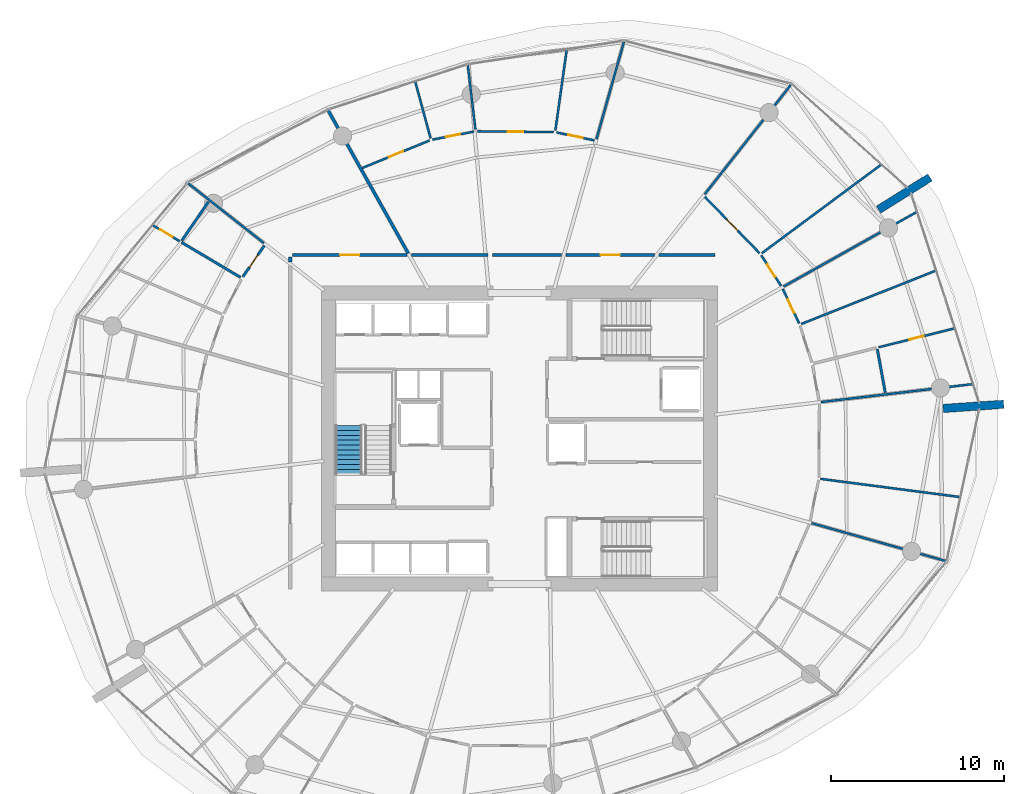
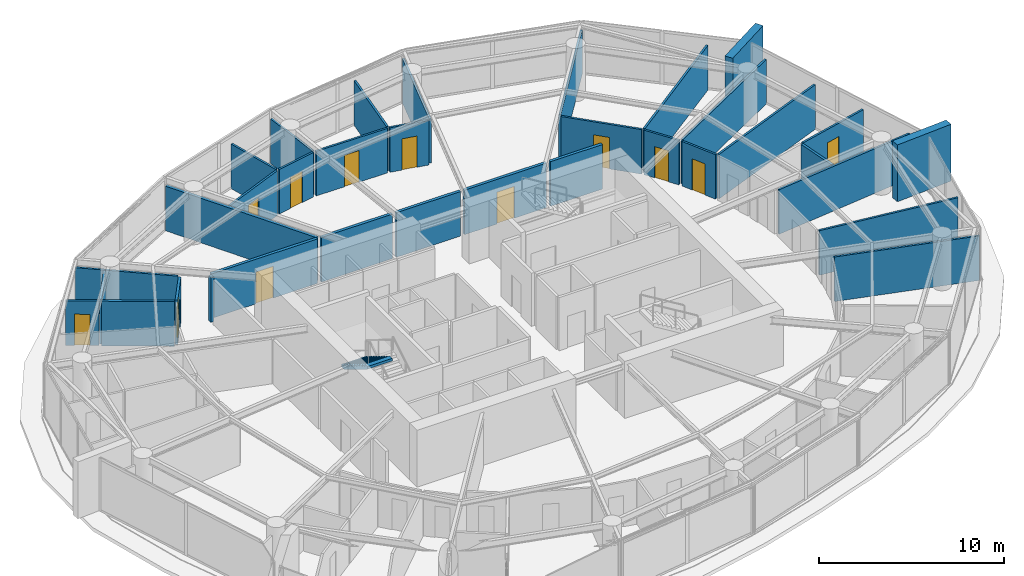
# One storey, part 15 of 17: 34 walls, 12 doors, 1 stair flight, 12 openings, 1 element without a shape of its own.
"""IFC4 building model written with IfcOpenShell, lengths in metres."""

from ifc_helpers import new_model, si_unit, direction, frame, frame_2d, origin, place, context, subcontext, project, spatial, polyline, rectangle, outline, extrude, material, layer, layer_set, type_object, element, fill, aggregate, save


model = new_model("IFC4")

# Units and contexts
model_context = context("Model", 3, precision=1e-05, world=origin(), true_north=direction((0.0, 1.0)))
body_context = subcontext(model_context, "Body", "Model", "MODEL_VIEW")
ifc_project = project(units=[si_unit("LENGTHUNIT", "METRE"), si_unit("AREAUNIT", "SQUARE_METRE"), si_unit("VOLUMEUNIT", "CUBIC_METRE"), si_unit("PLANEANGLEUNIT", "RADIAN"), si_unit("MASSUNIT", "GRAM", prefix="KILO")], contexts=[model_context])

# Site, building, storey
site_placement = place(None, origin())
site = spatial("IfcSite", under=ifc_project, at=site_placement, CompositionType="ELEMENT")
building_placement = place(site_placement, origin())
building = spatial("IfcBuilding", under=site, at=building_placement, Name="Kazma Halo Residences", CompositionType="ELEMENT")
storey_placement = place(building_placement, frame((0.0, 0.0, 127.800048828125)))
storey = spatial("IfcBuildingStorey", under=building, at=storey_placement, Name="L31", CompositionType="ELEMENT", Elevation=127.800048828125)

# Walls
ifc_material_1 = material(Name="Pale Concrete C60/75", Category="concrete")
ifc_layer_1 = layer(ifc_material_1, 0.47998046875)
ifc_layer_set_1 = layer_set([ifc_layer_1], Name="Pale Concrete C60/75")
wall_type_1 = type_object("IfcWallType", Name="WL-BLADE-480", PredefinedType="SOLIDWALL", material=ifc_layer_set_1)
for number, where, z_axis, x_axis, name in (
    (1, (69.165283203125, 55.2255859375, 0.0), (0.0, 0.0, 1.0), (0.848053161125, 0.529911158502, 0.0), "L31 pale concrete structural blade fin wall BW-01"),
    (2, (72.89697265625, 43.740966796875, 0.0), (0.0, 0.0, 1.0), (0.997564163539, 0.069754853754, 0.0), "L31 pale concrete structural blade fin wall BW-04"),
):
    element("IfcWall", number, at=place(storey_placement, frame(where, z_axis=z_axis, x_axis=x_axis)), inside=storey, type_object=wall_type_1, Name=name, PredefinedType="SOLIDWALL", context=body_context, shape_type="SweptSolid", body=[
        extrude(rectangle(XDim=3.5, YDim=0.47998046875, at=frame_2d((1.75, 0.0))), origin(), (0.0, 0.0, 1.0), 3.75),
    ])
ifc_material_2 = material(Name="Acoustic Twin-Stud Gypsum")
ifc_layer_2 = layer(ifc_material_2, 0.179931640625)
ifc_layer_set_2 = layer_set([ifc_layer_2], Name="Acoustic Twin-Stud Gypsum")
wall_type_2 = type_object("IfcWallType", Name="WL-DEM-180", PredefinedType="PARTITIONING", material=ifc_layer_set_2)
wall_1_placement = place(storey_placement, frame((42.010009765625, 52.696044921875, 0.0), z_axis=(0.0, 0.0, 1.0), x_axis=(-0.488637104979, 0.872487122906, 0.0)))
element("IfcWall", 3, at=wall_1_placement, inside=storey, type_object=wall_type_2, Name="L31 apartment demising radial wall 04", PredefinedType="PARTITIONING", context=body_context, shape_type="SweptSolid", body=[
    extrude(rectangle(XDim=9.4755859375, YDim=0.179931640625, at=frame_2d((4.73779296875, 0.0))), origin(), (0.0, 0.0, 1.0), 2.93994140625),
])

# Wall, opening, door
wall_2_placement = place(storey_placement, frame((41.943603515625, 52.60009765625, 0.0), z_axis=(0.0, 0.0, 1.0), x_axis=(-1.0, 0.0, 0.0)))
wall_2 = element("IfcWall", 4, at=wall_2_placement, inside=storey, type_object=wall_type_2, Name="L31 Apartment 1 entrance corridor wall", PredefinedType="PARTITIONING", context=body_context, shape_type="SweptSolid", body=[
    extrude(rectangle(XDim=6.62353515625, YDim=0.179931640625, at=frame_2d((3.311767578125, 0.0))), origin(), (0.0, 0.0, 1.0), 2.93994140625),
])
opening_1_placement = place(wall_2_placement, frame((2.76171875, 0.0, 0.0)))
opening_1 = element("IfcOpeningElement", 5, at=opening_1_placement, cuts=wall_2, Name="Opening DA-1100", PredefinedType="OPENING", context=body_context, shape_type="SweptSolid", body=[
    extrude(rectangle(XDim=1.10009765625, YDim=2.10009765625, at=frame_2d((0.550048828125, 1.050048828125))), frame((0.0, 0.099853515625, 0.0), z_axis=(0.0, -1.0, 0.0), x_axis=(1.0, 0.0, 0.0)), (0.0, 0.0, 1.0), 0.199951171875),
])
ifc_material_3 = material(Name="Acoustic Walnut Fire Leaf")
door_type_1 = type_object("IfcDoorType", Name="DR-FD60-1100", OperationType="NOTDEFINED", PredefinedType="DOOR", material=ifc_material_3)
door_1_placement = place(opening_1_placement, origin())
door_1 = element("IfcDoor", 6, at=door_1_placement, inside=storey, type_object=door_type_1, Name="L31 Apartment 1 entrance fire door", OperationType="SINGLE_SWING_LEFT", OverallHeight=2.10009765625, OverallWidth=1.10009765625, PredefinedType="DOOR", context=body_context, shape_type="SweptSolid", body=[
    extrude(rectangle(XDim=1.10009765625, YDim=2.10009765625, at=frame_2d((0.550048828125, 1.050048828125))), frame((0.0, 0.02490234375, 0.0), z_axis=(0.0, -1.0, 0.0), x_axis=(1.0, 0.0, 0.0)), (0.0, 0.0, 1.0), 0.050048828125),
])
fill(opening_1, door_1)

# Wall
wall_3_placement = place(storey_placement, frame((35.199951171875, 52.47998046875, 0.0), z_axis=(0.0, 0.0, 1.0), x_axis=(0.0, -1.0, 0.0)))
element("IfcWall", 7, at=wall_3_placement, inside=storey, type_object=wall_type_2, Name="L31 Apartment 1 entrance corridor wall", PredefinedType="PARTITIONING", context=body_context, shape_type="SweptSolid", body=[
    extrude(rectangle(XDim=0.269287109375, YDim=0.179931640625, at=frame_2d((0.134765625, 0.0))), origin(), (0.0, 0.0, 1.0), 2.93994140625),
])

# Wall, opening, door
wall_4_placement = place(storey_placement, frame((56.236328125, 52.60009765625, 0.0), z_axis=(0.0, 0.0, 1.0), x_axis=(-1.0, 0.0, 0.0)))
wall_4 = element("IfcWall", 8, at=wall_4_placement, inside=storey, type_object=wall_type_2, Name="L31 Apartment 3 entrance corridor wall", PredefinedType="PARTITIONING", context=body_context, shape_type="SweptSolid", body=[
    extrude(rectangle(XDim=5.126708984375, YDim=0.179931640625, at=frame_2d((2.5634765625, 0.0))), origin(), (0.0, 0.0, 1.0), 2.93994140625),
])
opening_2_placement = place(wall_4_placement, frame((2.013427734375, 0.0, 0.0)))
opening_2 = element("IfcOpeningElement", 9, at=opening_2_placement, cuts=wall_4, Name="Opening DA-1100", PredefinedType="OPENING", context=body_context, shape_type="SweptSolid", body=[
    extrude(rectangle(XDim=1.10009765625, YDim=2.10009765625, at=frame_2d((0.550048828125, 1.050048828125))), frame((0.0, 0.099853515625, 0.0), z_axis=(0.0, -1.0, 0.0), x_axis=(1.0, 0.0, 0.0)), (0.0, 0.0, 1.0), 0.199951171875),
])
door_2_placement = place(opening_2_placement, origin())
door_2 = element("IfcDoor", 10, at=door_2_placement, inside=storey, type_object=door_type_1, Name="L31 Apartment 3 entrance fire door", OperationType="SINGLE_SWING_LEFT", OverallHeight=2.10009765625, OverallWidth=1.10009765625, PredefinedType="DOOR", context=body_context, shape_type="SweptSolid", body=[
    extrude(rectangle(XDim=1.10009765625, YDim=2.10009765625, at=frame_2d((0.550048828125, 1.050048828125))), frame((0.0, 0.02490234375, 0.0), z_axis=(0.0, -1.0, 0.0), x_axis=(1.0, 0.0, 0.0)), (0.0, 0.0, 1.0), 0.050048828125),
])
fill(opening_2, door_2)

# Walls
wall_5_placement = place(storey_placement, frame((59.72998046875, 52.60009765625, 0.0), z_axis=(0.0, 0.0, 1.0), x_axis=(-1.0, 0.0, 0.0)))
element("IfcWall", 11, at=wall_5_placement, inside=storey, type_object=wall_type_2, Name="L31 Apartment 3 inner wall 0", PredefinedType="PARTITIONING", context=body_context, shape_type="SweptSolid", body=[
    extrude(rectangle(XDim=3.253662109375, YDim=0.179931640625, at=frame_2d((1.626953125, 0.0))), origin(), (0.0, 0.0, 1.0), 2.93994140625),
])
wall_6_placement = place(storey_placement, frame((50.869384765625, 52.60009765625, 0.0), z_axis=(0.0, 0.0, 1.0), x_axis=(-1.0, 0.0, 0.0)))
element("IfcWall", 12, at=wall_6_placement, inside=storey, type_object=wall_type_2, Name="L31 Apartment 3 inner wall 2", PredefinedType="PARTITIONING", context=body_context, shape_type="SweptSolid", body=[
    extrude(rectangle(XDim=4.00390625, YDim=0.179931640625, at=frame_2d((2.001953125, 0.0))), origin(), (0.0, 0.0, 1.0), 2.93994140625),
])
wall_7_placement = place(storey_placement, frame((46.62548828125, 52.60009765625, 0.0), z_axis=(0.0, 0.0, 1.0), x_axis=(-1.0, 0.0, 0.0)))
element("IfcWall", 13, at=wall_7_placement, inside=storey, type_object=wall_type_2, Name="L31 Apartment 3 inner wall 3", PredefinedType="PARTITIONING", context=body_context, shape_type="SweptSolid", body=[
    extrude(rectangle(XDim=4.44189453125, YDim=0.179931640625, at=frame_2d((2.220947265625, 0.0))), origin(), (0.0, 0.0, 1.0), 2.93994140625),
])
ifc_material_4 = material(Name="Gypsum Plasterboard Partition")
ifc_layer_3 = layer(ifc_material_4, 0.125)
ifc_layer_set_3 = layer_set([ifc_layer_3], Name="Gypsum Plasterboard Partition")
wall_type_3 = type_object("IfcWallType", Name="WL-PART-125", PredefinedType="PARTITIONING", material=ifc_layer_set_3)
wall_8_placement = place(storey_placement, frame((33.676513671875, 53.29150390625, 0.0), z_axis=(0.0, 0.0, 1.0), x_axis=(-0.785314406025, 0.61909715206, 0.0)))
element("IfcWall", 14, at=wall_8_placement, inside=storey, type_object=wall_type_3, Name="L31 Apartment 1 radial partition 5", PredefinedType="PARTITIONING", context=body_context, shape_type="SweptSolid", body=[
    extrude(rectangle(XDim=5.6005859375, YDim=0.125, at=frame_2d((2.80029296875, 0.0))), origin(), (0.0, 0.0, 1.0), 2.93994140625),
])

# Wall, opening, door
wall_9_placement = place(storey_placement, frame((28.806396484375, 53.402099609375, 0.0), z_axis=(0.0, 0.0, 1.0), x_axis=(-0.85977637557, 0.510670719751, 0.0)))
wall_9 = element("IfcWall", 15, at=wall_9_placement, inside=storey, type_object=wall_type_3, Name="L31 Apartment 1 Utility Laundry Room partition wall", PredefinedType="PARTITIONING", context=body_context, shape_type="SweptSolid", body=[
    extrude(rectangle(XDim=1.795166015625, YDim=0.125, at=frame_2d((0.8974609375, 0.0))), origin(), (0.0, 0.0, 1.0), 2.93994140625),
])
opening_3_placement = place(wall_9_placement, frame((0.47265625, 0.0, 0.0)))
opening_3 = element("IfcOpeningElement", 16, at=opening_3_placement, cuts=wall_9, Name="Opening DB-900", PredefinedType="OPENING", context=body_context, shape_type="SweptSolid", body=[
    extrude(rectangle(XDim=0.85009765625, YDim=2.06005859375, at=frame_2d((0.425048828125, 1.030029296875))), frame((0.0, 0.072509765625, 0.0), z_axis=(0.0, -1.0, 0.0), x_axis=(1.0, 0.0, 0.0)), (0.0, 0.0, 1.0), 0.14501953125),
])
ifc_material_5 = material(Name="Moisture-Sealed Timber Leaf", Category="wood")
door_type_2 = type_object("IfcDoorType", Name="DR-BTH-900", OperationType="NOTDEFINED", PredefinedType="DOOR", material=ifc_material_5)
door_3_placement = place(opening_3_placement, origin())
door_3 = element("IfcDoor", 17, at=door_3_placement, inside=storey, type_object=door_type_2, Name="L31 Apartment 1 Utility Laundry Room door", OperationType="SINGLE_SWING_RIGHT", OverallHeight=2.06005859375, OverallWidth=0.85009765625, PredefinedType="DOOR", context=body_context, shape_type="SweptSolid", body=[
    extrude(rectangle(XDim=0.85009765625, YDim=2.06005859375, at=frame_2d((0.425048828125, 1.030029296875))), frame((0.0, 0.02490234375, 0.0), z_axis=(0.0, -1.0, 0.0), x_axis=(1.0, 0.0, 0.0)), (0.0, 0.0, 1.0), 0.050048828125),
])
fill(opening_3, door_3)

# Walls
wall_10_placement = place(storey_placement, frame((65.29541015625, 37.122314453125, 0.0), z_axis=(0.0, 0.0, 1.0), x_axis=(0.96245433073, -0.271443661297, 0.0)))
element("IfcWall", 18, at=wall_10_placement, inside=storey, type_object=wall_type_3, Name="L31 Apartment 3 radial partition 14", PredefinedType="PARTITIONING", context=body_context, shape_type="SweptSolid", body=[
    extrude(rectangle(XDim=8.081298828125, YDim=0.125, at=frame_2d((4.04052734375, 0.0))), origin(), (0.0, 0.0, 1.0), 2.93994140625),
])
wall_11_placement = place(storey_placement, frame((65.809326171875, 39.67919921875, 0.0), z_axis=(0.0, 0.0, 1.0), x_axis=(0.991611465086, -0.129254409247, 0.0)))
element("IfcWall", 19, at=wall_11_placement, inside=storey, type_object=wall_type_3, Name="L31 Apartment 3 mid-bay wall 14", PredefinedType="PARTITIONING", context=body_context, shape_type="SweptSolid", body=[
    extrude(rectangle(XDim=8.125732421875, YDim=0.125, at=frame_2d((4.06298828125, 0.0))), origin(), (0.0, 0.0, 1.0), 2.93994140625),
])
wall_12_placement = place(storey_placement, frame((65.845458984375, 44.1123046875, 0.0), z_axis=(0.0, 0.0, 1.0), x_axis=(0.993069843717, 0.117525680174, 0.0)))
element("IfcWall", 20, at=wall_12_placement, inside=storey, type_object=wall_type_3, Name="L31 Apartment 3 radial partition 15", PredefinedType="PARTITIONING", context=body_context, shape_type="SweptSolid", body=[
    extrude(rectangle(XDim=8.816162109375, YDim=0.125, at=frame_2d((4.408203125, 0.0))), origin(), (0.0, 0.0, 1.0), 2.93994140625),
])

# Wall, opening, door
wall_13_placement = place(storey_placement, frame((69.16259765625, 47.2744140625, 0.0), z_axis=(0.0, 0.0, 1.0), x_axis=(0.970313623087, 0.241850104098, 0.0)))
wall_13 = element("IfcWall", 21, at=wall_13_placement, inside=storey, type_object=wall_type_3, Name="L31 Apartment 3 Secondary Walk-In Wardrobe partition wall", PredefinedType="PARTITIONING", context=body_context, shape_type="SweptSolid", body=[
    extrude(rectangle(XDim=4.525390625, YDim=0.125, at=frame_2d((2.2626953125, 0.0))), origin(), (0.0, 0.0, 1.0), 2.93994140625),
])
opening_4_placement = place(wall_13_placement, frame((1.837646484375, 0.0, 0.0)))
opening_4 = element("IfcOpeningElement", 22, at=opening_4_placement, cuts=wall_13, Name="Opening DB-900", PredefinedType="OPENING", context=body_context, shape_type="SweptSolid", body=[
    extrude(rectangle(XDim=0.85009765625, YDim=2.06005859375, at=frame_2d((0.425048828125, 1.030029296875))), frame((0.0, 0.072509765625, 0.0), z_axis=(0.0, -1.0, 0.0), x_axis=(1.0, 0.0, 0.0)), (0.0, 0.0, 1.0), 0.14501953125),
])
door_4_placement = place(opening_4_placement, origin())
door_4 = element("IfcDoor", 23, at=door_4_placement, inside=storey, type_object=door_type_2, Name="L31 Apartment 3 Secondary Walk-In Wardrobe door", OperationType="SINGLE_SWING_RIGHT", OverallHeight=2.06005859375, OverallWidth=0.85009765625, PredefinedType="DOOR", context=body_context, shape_type="SweptSolid", body=[
    extrude(rectangle(XDim=0.85009765625, YDim=2.06005859375, at=frame_2d((0.425048828125, 1.030029296875))), frame((0.0, 0.02490234375, 0.0), z_axis=(0.0, -1.0, 0.0), x_axis=(1.0, 0.0, 0.0)), (0.0, 0.0, 1.0), 0.050048828125),
])
fill(opening_4, door_4)

# Wall
wall_14_placement = place(storey_placement, frame((64.6962890625, 48.6181640625, 0.0), z_axis=(0.0, 0.0, 1.0), x_axis=(0.92963773473, 0.368474805335, 0.0)))
element("IfcWall", 24, at=wall_14_placement, inside=storey, type_object=wall_type_3, Name="L31 Apartment 3 suite divider 15", PredefinedType="PARTITIONING", context=body_context, shape_type="SweptSolid", body=[
    extrude(rectangle(XDim=8.363525390625, YDim=0.125, at=frame_2d((4.181640625, 0.0))), origin(), (0.0, 0.0, 1.0), 2.93994140625),
])

# Wall, opening, door
wall_15_placement = place(storey_placement, frame((64.578125, 48.656982421875, 0.0), z_axis=(0.0, 0.0, 1.0), x_axis=(-0.429437528435, 0.903096566914, 0.0)))
wall_15 = element("IfcWall", 25, at=wall_15_placement, inside=storey, type_object=wall_type_3, Name="L31 Apartment 3 West Master Bedroom hall wall", PredefinedType="PARTITIONING", context=body_context, shape_type="SweptSolid", body=[
    extrude(rectangle(XDim=2.197265625, YDim=0.125, at=frame_2d((1.0986328125, 0.0))), origin(), (0.0, 0.0, 1.0), 2.93994140625),
])
opening_5_placement = place(wall_15_placement, frame((0.673583984375, 0.0, 0.0)))
opening_5 = element("IfcOpeningElement", 26, at=opening_5_placement, cuts=wall_15, Name="Opening DB-900", PredefinedType="OPENING", context=body_context, shape_type="SweptSolid", body=[
    extrude(rectangle(XDim=0.85009765625, YDim=2.06005859375, at=frame_2d((0.425048828125, 1.030029296875))), frame((0.0, 0.072509765625, 0.0), z_axis=(0.0, -1.0, 0.0), x_axis=(1.0, 0.0, 0.0)), (0.0, 0.0, 1.0), 0.14501953125),
])
door_5_placement = place(opening_5_placement, origin())
door_5 = element("IfcDoor", 27, at=door_5_placement, inside=storey, type_object=door_type_2, Name="L31 Apartment 3 West Master Bedroom door", OperationType="SINGLE_SWING_RIGHT", OverallHeight=2.06005859375, OverallWidth=0.85009765625, PredefinedType="DOOR", context=body_context, shape_type="SweptSolid", body=[
    extrude(rectangle(XDim=0.85009765625, YDim=2.06005859375, at=frame_2d((0.425048828125, 1.030029296875))), frame((0.0, 0.02490234375, 0.0), z_axis=(0.0, -1.0, 0.0), x_axis=(1.0, 0.0, 0.0)), (0.0, 0.0, 1.0), 0.050048828125),
])
fill(opening_5, door_5)

# Walls
wall_16_placement = place(storey_placement, frame((63.6787109375, 50.780517578125, 0.0), z_axis=(0.0, 0.0, 1.0), x_axis=(0.872493265844, 0.488626136281, 0.0)))
element("IfcWall", 28, at=wall_16_placement, inside=storey, type_object=wall_type_3, Name="L31 Apartment 3 radial partition 0", PredefinedType="PARTITIONING", context=body_context, shape_type="SweptSolid", body=[
    extrude(rectangle(XDim=8.816162109375, YDim=0.125, at=frame_2d((4.408203125, 0.0))), origin(), (0.0, 0.0, 1.0), 2.93994140625),
])
wall_17_placement = place(storey_placement, frame((59.125, 56.112060546875, 0.0), z_axis=(0.0, 0.0, 1.0), x_axis=(0.61910151414, 0.78531096719, 0.0)))
element("IfcWall", 29, at=wall_17_placement, inside=storey, type_object=wall_type_3, Name="L31 Apartment 3 living radial partition 0", PredefinedType="PARTITIONING", context=body_context, shape_type="SweptSolid", body=[
    extrude(rectangle(XDim=8.081787109375, YDim=0.125, at=frame_2d((4.041015625, 0.0))), origin(), (0.0, 0.0, 1.0), 2.93994140625),
])
wall_18_placement = place(storey_placement, frame((62.42138671875, 52.704345703125, 0.0), z_axis=(0.0, 0.0, 1.0), x_axis=(0.802973178232, 0.596015163431, 0.0)))
element("IfcWall", 30, at=wall_18_placement, inside=storey, type_object=wall_type_3, Name="L31 Apartment 3 mid-bay wall 0", PredefinedType="PARTITIONING", context=body_context, shape_type="SweptSolid", body=[
    extrude(rectangle(XDim=8.57373046875, YDim=0.125, at=frame_2d((4.286865234375, 0.0))), origin(), (0.0, 0.0, 1.0), 2.93994140625),
])

# Wall, opening, door
wall_19_placement = place(storey_placement, frame((63.537109375, 50.815673828125, 0.0), z_axis=(0.0, 0.0, 1.0), x_axis=(-0.543467563656, 0.839430168182, 0.0)))
wall_19 = element("IfcWall", 31, at=wall_19_placement, inside=storey, type_object=wall_type_3, Name="L31 Apartment 3 North Bedroom hall wall", PredefinedType="PARTITIONING", context=body_context, shape_type="SweptSolid", body=[
    extrude(rectangle(XDim=2.10595703125, YDim=0.125, at=frame_2d((1.052978515625, 0.0))), origin(), (0.0, 0.0, 1.0), 2.93994140625),
])
opening_6_placement = place(wall_19_placement, frame((0.628173828125, 0.0, 0.0)))
opening_6 = element("IfcOpeningElement", 32, at=opening_6_placement, cuts=wall_19, Name="Opening DB-900", PredefinedType="OPENING", context=body_context, shape_type="SweptSolid", body=[
    extrude(rectangle(XDim=0.85009765625, YDim=2.06005859375, at=frame_2d((0.425048828125, 1.030029296875))), frame((0.0, 0.072509765625, 0.0), z_axis=(0.0, -1.0, 0.0), x_axis=(1.0, 0.0, 0.0)), (0.0, 0.0, 1.0), 0.14501953125),
])
door_6_placement = place(opening_6_placement, origin())
door_6 = element("IfcDoor", 33, at=door_6_placement, inside=storey, type_object=door_type_2, Name="L31 Apartment 3 North Bedroom door", OperationType="SINGLE_SWING_RIGHT", OverallHeight=2.06005859375, OverallWidth=0.85009765625, PredefinedType="DOOR", context=body_context, shape_type="SweptSolid", body=[
    extrude(rectangle(XDim=0.85009765625, YDim=2.06005859375, at=frame_2d((0.425048828125, 1.030029296875))), frame((0.0, 0.02490234375, 0.0), z_axis=(0.0, -1.0, 0.0), x_axis=(1.0, 0.0, 0.0)), (0.0, 0.0, 1.0), 0.050048828125),
])
fill(opening_6, door_6)

wall_20_placement = place(storey_placement, frame((62.29345703125, 52.708251953125, 0.0), z_axis=(0.0, 0.0, 1.0), x_axis=(-0.696779354898, 0.717285529331, 0.0)))
wall_20 = element("IfcWall", 34, at=wall_20_placement, inside=storey, type_object=wall_type_3, Name="L31 Apartment 3 South Master Bedroom hall wall", PredefinedType="PARTITIONING", context=body_context, shape_type="SweptSolid", body=[
    extrude(rectangle(XDim=4.5361328125, YDim=0.125, at=frame_2d((2.26806640625, 0.0))), origin(), (0.0, 0.0, 1.0), 2.93994140625),
])
opening_7_placement = place(wall_20_placement, frame((1.818115234375, 0.0, 0.0)))
opening_7 = element("IfcOpeningElement", 35, at=opening_7_placement, cuts=wall_20, Name="Opening DI-950", PredefinedType="OPENING", context=body_context, shape_type="SweptSolid", body=[
    extrude(rectangle(XDim=0.89990234375, YDim=2.080078125, at=frame_2d((0.449951171875, 1.0400390625))), frame((0.0, 0.072509765625, 0.0), z_axis=(0.0, -1.0, 0.0), x_axis=(1.0, 0.0, 0.0)), (0.0, 0.0, 1.0), 0.14501953125),
])
ifc_material_6 = material(Name="Timber Veneer Flush Leaf", Category="wood")
door_type_3 = type_object("IfcDoorType", Name="DR-INT-950", OperationType="NOTDEFINED", PredefinedType="DOOR", material=ifc_material_6)
door_7_placement = place(opening_7_placement, origin())
door_7 = element("IfcDoor", 36, at=door_7_placement, inside=storey, type_object=door_type_3, Name="L31 Apartment 3 South Master Bedroom door", OperationType="SINGLE_SWING_LEFT", OverallHeight=2.080078125, OverallWidth=0.89990234375, PredefinedType="DOOR", context=body_context, shape_type="SweptSolid", body=[
    extrude(rectangle(XDim=0.89990234375, YDim=2.080078125, at=frame_2d((0.449951171875, 1.0400390625))), frame((0.0, 0.02490234375, 0.0), z_axis=(0.0, -1.0, 0.0), x_axis=(1.0, 0.0, 0.0)), (0.0, 0.0, 1.0), 0.050048828125),
])
fill(opening_7, door_7)

# Walls
wall_21_placement = place(storey_placement, frame((52.877685546875, 59.29541015625, 0.0), z_axis=(0.0, 0.0, 1.0), x_axis=(0.271456213136, 0.962450790612, 0.0)))
element("IfcWall", 37, at=wall_21_placement, inside=storey, type_object=wall_type_3, Name="L31 Apartment 3 radial partition 2", PredefinedType="PARTITIONING", context=body_context, shape_type="SweptSolid", body=[
    extrude(rectangle(XDim=5.869384765625, YDim=0.125, at=frame_2d((2.9345703125, 0.0))), origin(), (0.0, 0.0, 1.0), 2.93994140625),
])
wall_22_placement = place(storey_placement, frame((50.502685546875, 59.784912109375, 0.0), z_axis=(0.0, 0.0, 1.0), x_axis=(0.139358174647, 0.990242040695, 0.0)))
element("IfcWall", 38, at=wall_22_placement, inside=storey, type_object=wall_type_3, Name="L31 Apartment 3 mid-bay wall 2", PredefinedType="PARTITIONING", context=body_context, shape_type="SweptSolid", body=[
    extrude(rectangle(XDim=4.70556640625, YDim=0.125, at=frame_2d((2.352783203125, 0.0))), origin(), (0.0, 0.0, 1.0), 2.93994140625),
])

# Wall, opening, door
wall_23_placement = place(storey_placement, frame((52.752685546875, 59.2197265625, 0.0), z_axis=(0.0, 0.0, 1.0), x_axis=(-0.978584585567, 0.205845108979, 0.0)))
wall_23 = element("IfcWall", 39, at=wall_23_placement, inside=storey, type_object=wall_type_3, Name="L31 Apartment 3 Inner Laundry Room hall wall", PredefinedType="PARTITIONING", context=body_context, shape_type="SweptSolid", body=[
    extrude(rectangle(XDim=2.232177734375, YDim=0.125, at=frame_2d((1.1162109375, 0.0))), origin(), (0.0, 0.0, 1.0), 2.93994140625),
])
opening_8_placement = place(wall_23_placement, frame((0.691162109375, 0.0, 0.0)))
opening_8 = element("IfcOpeningElement", 40, at=opening_8_placement, cuts=wall_23, Name="Opening DB-900", PredefinedType="OPENING", context=body_context, shape_type="SweptSolid", body=[
    extrude(rectangle(XDim=0.85009765625, YDim=2.06005859375, at=frame_2d((0.425048828125, 1.030029296875))), frame((0.0, 0.072509765625, 0.0), z_axis=(0.0, -1.0, 0.0), x_axis=(1.0, 0.0, 0.0)), (0.0, 0.0, 1.0), 0.14501953125),
])
door_8_placement = place(opening_8_placement, origin())
door_8 = element("IfcDoor", 41, at=door_8_placement, inside=storey, type_object=door_type_2, Name="L31 Apartment 3 Inner Laundry Room door", OperationType="SINGLE_SWING_RIGHT", OverallHeight=2.06005859375, OverallWidth=0.85009765625, PredefinedType="DOOR", context=body_context, shape_type="SweptSolid", body=[
    extrude(rectangle(XDim=0.85009765625, YDim=2.06005859375, at=frame_2d((0.425048828125, 1.030029296875))), frame((0.0, 0.02490234375, 0.0), z_axis=(0.0, -1.0, 0.0), x_axis=(1.0, 0.0, 0.0)), (0.0, 0.0, 1.0), 0.050048828125),
])
fill(opening_8, door_8)

wall_24_placement = place(storey_placement, frame((50.41015625, 59.696533203125, 0.0), z_axis=(0.0, 0.0, 1.0), x_axis=(-0.999939338572, 0.011014498416, 0.0)))
wall_24 = element("IfcWall", 42, at=wall_24_placement, inside=storey, type_object=wall_type_3, Name="L31 Apartment 3 Outer Bedroom hall wall", PredefinedType="PARTITIONING", context=body_context, shape_type="SweptSolid", body=[
    extrude(rectangle(XDim=4.410888671875, YDim=0.125, at=frame_2d((2.20556640625, 0.0))), origin(), (0.0, 0.0, 1.0), 2.93994140625),
])
opening_9_placement = place(wall_24_placement, frame((1.75537109375, 0.0, 0.0)))
opening_9 = element("IfcOpeningElement", 43, at=opening_9_placement, cuts=wall_24, Name="Opening DI-950", PredefinedType="OPENING", context=body_context, shape_type="SweptSolid", body=[
    extrude(rectangle(XDim=0.89990234375, YDim=2.080078125, at=frame_2d((0.449951171875, 1.0400390625))), frame((0.0, 0.072509765625, 0.0), z_axis=(0.0, -1.0, 0.0), x_axis=(1.0, 0.0, 0.0)), (0.0, 0.0, 1.0), 0.14501953125),
])
door_9_placement = place(opening_9_placement, origin())
door_9 = element("IfcDoor", 44, at=door_9_placement, inside=storey, type_object=door_type_3, Name="L31 Apartment 3 Outer Bedroom door", OperationType="SINGLE_SWING_LEFT", OverallHeight=2.080078125, OverallWidth=0.89990234375, PredefinedType="DOOR", context=body_context, shape_type="SweptSolid", body=[
    extrude(rectangle(XDim=0.89990234375, YDim=2.080078125, at=frame_2d((0.449951171875, 1.0400390625))), frame((0.0, 0.02490234375, 0.0), z_axis=(0.0, -1.0, 0.0), x_axis=(1.0, 0.0, 0.0)), (0.0, 0.0, 1.0), 0.050048828125),
])
fill(opening_9, door_9)

# Walls
wall_25_placement = place(storey_placement, frame((45.8876953125, 59.845458984375, 0.0), z_axis=(0.0, 0.0, 1.0), x_axis=(-0.117510984651, 0.99307158276, 0.0)))
element("IfcWall", 45, at=wall_25_placement, inside=storey, type_object=wall_type_3, Name="L31 Apartment 3 radial partition 3", PredefinedType="PARTITIONING", context=body_context, shape_type="SweptSolid", body=[
    extrude(rectangle(XDim=3.7646484375, YDim=0.125, at=frame_2d((1.88232421875, 0.0))), origin(), (0.0, 0.0, 1.0), 2.93994140625),
])
wall_26_placement = place(storey_placement, frame((43.3017578125, 59.334716796875, 0.0), z_axis=(0.0, 0.0, 1.0), x_axis=(-0.261645223745, 0.965164119148, 0.0)))
element("IfcWall", 46, at=wall_26_placement, inside=storey, type_object=wall_type_3, Name="L31 Apartment 3 mid-bay wall 3", PredefinedType="PARTITIONING", context=body_context, shape_type="SweptSolid", body=[
    extrude(rectangle(XDim=3.382568359375, YDim=0.125, at=frame_2d((1.69140625, 0.0))), origin(), (0.0, 0.0, 1.0), 2.93994140625),
])

# Wall, opening, door
wall_27_placement = place(storey_placement, frame((45.801513671875, 59.72705078125, 0.0), z_axis=(0.0, 0.0, 1.0), x_axis=(-0.98177684243, -0.190037448066, 0.0)))
wall_27 = element("IfcWall", 47, at=wall_27_placement, inside=storey, type_object=wall_type_3, Name="L31 Apartment 3 Corner Bedroom hall wall", PredefinedType="PARTITIONING", context=body_context, shape_type="SweptSolid", body=[
    extrude(rectangle(XDim=2.442138671875, YDim=0.125, at=frame_2d((1.22119140625, 0.0))), origin(), (0.0, 0.0, 1.0), 2.93994140625),
])
opening_10_placement = place(wall_27_placement, frame((0.796142578125, 0.0, 0.0)))
opening_10 = element("IfcOpeningElement", 48, at=opening_10_placement, cuts=wall_27, Name="Opening DB-900", PredefinedType="OPENING", context=body_context, shape_type="SweptSolid", body=[
    extrude(rectangle(XDim=0.85009765625, YDim=2.06005859375, at=frame_2d((0.425048828125, 1.030029296875))), frame((0.0, 0.072509765625, 0.0), z_axis=(0.0, -1.0, 0.0), x_axis=(1.0, 0.0, 0.0)), (0.0, 0.0, 1.0), 0.14501953125),
])
door_10_placement = place(opening_10_placement, origin())
door_10 = element("IfcDoor", 49, at=door_10_placement, inside=storey, type_object=door_type_2, Name="L31 Apartment 3 Corner Bedroom door", OperationType="SINGLE_SWING_LEFT", OverallHeight=2.06005859375, OverallWidth=0.85009765625, PredefinedType="DOOR", context=body_context, shape_type="SweptSolid", body=[
    extrude(rectangle(XDim=0.85009765625, YDim=2.06005859375, at=frame_2d((0.425048828125, 1.030029296875))), frame((0.0, 0.02490234375, 0.0), z_axis=(0.0, -1.0, 0.0), x_axis=(1.0, 0.0, 0.0)), (0.0, 0.0, 1.0), 0.050048828125),
])
fill(opening_10, door_10)

wall_28_placement = place(storey_placement, frame((43.251220703125, 59.217529296875, 0.0), z_axis=(0.0, 0.0, 1.0), x_axis=(-0.925828974122, -0.377942734651, 0.0)))
wall_28 = element("IfcWall", 50, at=wall_28_placement, inside=storey, type_object=wall_type_3, Name="L31 Apartment 3 Garden Bedroom hall wall", PredefinedType="PARTITIONING", context=body_context, shape_type="SweptSolid", body=[
    extrude(rectangle(XDim=4.2021484375, YDim=0.125, at=frame_2d((2.10107421875, 0.0))), origin(), (0.0, 0.0, 1.0), 2.93994140625),
])
opening_11_placement = place(wall_28_placement, frame((1.65087890625, 0.0, 0.0)))
opening_11 = element("IfcOpeningElement", 51, at=opening_11_placement, cuts=wall_28, Name="Opening DI-950", PredefinedType="OPENING", context=body_context, shape_type="SweptSolid", body=[
    extrude(rectangle(XDim=0.89990234375, YDim=2.080078125, at=frame_2d((0.449951171875, 1.0400390625))), frame((0.0, 0.072509765625, 0.0), z_axis=(0.0, -1.0, 0.0), x_axis=(1.0, 0.0, 0.0)), (0.0, 0.0, 1.0), 0.14501953125),
])
door_11_placement = place(opening_11_placement, origin())
door_11 = element("IfcDoor", 52, at=door_11_placement, inside=storey, type_object=door_type_3, Name="L31 Apartment 3 Garden Bedroom door", OperationType="SINGLE_SWING_RIGHT", OverallHeight=2.080078125, OverallWidth=0.89990234375, PredefinedType="DOOR", context=body_context, shape_type="SweptSolid", body=[
    extrude(rectangle(XDim=0.89990234375, YDim=2.080078125, at=frame_2d((0.449951171875, 1.0400390625))), frame((0.0, 0.02490234375, 0.0), z_axis=(0.0, -1.0, 0.0), x_axis=(1.0, 0.0, 0.0)), (0.0, 0.0, 1.0), 0.050048828125),
])
fill(opening_11, door_11)

ifc_material_7 = material(Name="Moisture-Resistant Gypsum")
ifc_layer_4 = layer(ifc_material_7, 0.14990234375)
ifc_layer_set_4 = layer_set([ifc_layer_4], Name="Moisture-Resistant Gypsum")
wall_type_4 = type_object("IfcWallType", Name="WL-WET-150", PredefinedType="PARTITIONING", material=ifc_layer_set_4)
wall_29_placement = place(storey_placement, frame((33.698486328125, 53.147216796875, 0.0), z_axis=(0.0, 0.0, 1.0), x_axis=(-0.566099045872, -0.824337230909, 0.0)))
wall_29 = element("IfcWall", 53, at=wall_29_placement, inside=storey, type_object=wall_type_4, Name="L31 Apartment 1 Guest Bathroom hall wall", PredefinedType="PARTITIONING", context=body_context, shape_type="SweptSolid", body=[
    extrude(rectangle(XDim=2.1943359375, YDim=0.14990234375, at=frame_2d((1.09716796875, 0.0))), origin(), (0.0, 0.0, 1.0), 2.93994140625),
])
opening_12_placement = place(wall_29_placement, frame((0.672119140625, 0.0, 0.0)))
opening_12 = element("IfcOpeningElement", 54, at=opening_12_placement, cuts=wall_29, Name="Opening DB-900", PredefinedType="OPENING", context=body_context, shape_type="SweptSolid", body=[
    extrude(rectangle(XDim=0.85009765625, YDim=2.06005859375, at=frame_2d((0.425048828125, 1.030029296875))), frame((0.0, 0.0849609375, 0.0), z_axis=(0.0, -1.0, 0.0), x_axis=(1.0, 0.0, 0.0)), (0.0, 0.0, 1.0), 0.169921875),
])
door_12_placement = place(opening_12_placement, origin())
door_12 = element("IfcDoor", 55, at=door_12_placement, inside=storey, type_object=door_type_2, Name="L31 Apartment 1 Guest Bathroom door", OperationType="SINGLE_SWING_LEFT", OverallHeight=2.06005859375, OverallWidth=0.85009765625, PredefinedType="DOOR", context=body_context, shape_type="SweptSolid", body=[
    extrude(rectangle(XDim=0.85009765625, YDim=2.06005859375, at=frame_2d((0.425048828125, 1.030029296875))), frame((0.0, 0.02490234375, 0.0), z_axis=(0.0, -1.0, 0.0), x_axis=(1.0, 0.0, 0.0)), (0.0, 0.0, 1.0), 0.050048828125),
])
fill(opening_12, door_12)

# Walls
wall_30_placement = place(storey_placement, frame((30.48193359375, 55.68310546875, 0.0), z_axis=(0.0, 0.0, 1.0), x_axis=(-0.566130648785, -0.824315527275, 0.0)))
element("IfcWall", 56, at=wall_30_placement, inside=storey, type_object=wall_type_4, Name="L31 Apartment 1 Guest Bathroom back wall", PredefinedType="PARTITIONING", context=body_context, shape_type="SweptSolid", body=[
    extrude(rectangle(XDim=2.73291015625, YDim=0.14990234375, at=frame_2d((1.366455078125, 0.0))), origin(), (0.0, 0.0, 1.0), 2.93994140625),
])
wall_31_placement = place(storey_placement, frame((32.327880859375, 51.31005859375, 0.0), z_axis=(0.0, 0.0, 1.0), x_axis=(-0.859728044348, 0.510752082483, 0.0)))
element("IfcWall", 57, at=wall_31_placement, inside=storey, type_object=wall_type_4, Name="L31 Apartment 1 Guest Bathroom side wall", PredefinedType="PARTITIONING", context=body_context, shape_type="SweptSolid", body=[
    extrude(rectangle(XDim=3.966064453125, YDim=0.14990234375, at=frame_2d((1.98291015625, 0.0))), origin(), (0.0, 0.0, 1.0), 2.93994140625),
])
wall_32_placement = place(storey_placement, frame((69.551513671875, 44.6513671875, 0.0), z_axis=(0.0, 0.0, 1.0), x_axis=(-0.18004586416, 0.983658216455, 0.0)))
element("IfcWall", 58, at=wall_32_placement, inside=storey, type_object=wall_type_4, Name="L31 Apartment 3 Primary En-Suite Bathroom back wall", PredefinedType="PARTITIONING", context=body_context, shape_type="SweptSolid", body=[
    extrude(rectangle(XDim=2.5546875, YDim=0.14990234375, at=frame_2d((1.27734375, 0.0))), origin(), (0.0, 0.0, 1.0), 2.93994140625),
])

# Stair, stair flight
ifc_material_8 = material(Name="Concrete C50/60", Category="concrete")
stair_type = type_object("IfcStairType", Name="STR-RES1", PredefinedType="HALF_TURN_STAIR", material=ifc_material_8)
stair_placement = place(storey_placement, origin())
stair = element("IfcStair", 59, at=stair_placement, inside=storey, type_object=stair_type, Name="L31 Core exit stair ST-01", PredefinedType="HALF_TURN_STAIR")
stair_flight_type = type_object("IfcStairFlightType", Name="STR-RES1-FLT", PredefinedType="STRAIGHT", material=ifc_material_8)
stair_flight_placement = place(storey_placement, frame((38.574951171875, 42.75, 1.875), z_axis=(0.0, 0.0, 1.0), x_axis=(0.0, -1.0, 0.0)))
stair_flight = element("IfcStairFlight", 60, at=stair_flight_placement, type_object=stair_flight_type, Name="ST-01 flight 2", NumberOfRisers=11, NumberOfTreads=10, PredefinedType="STRAIGHT", RiserHeight=0.170454545, TreadLength=0.28, context=body_context, shape_type="SweptSolid", body=[
    extrude(outline(polyline([(0.0, 0.0), (0.0, 0.17041015625), (0.280029296875, 0.17041015625), (0.280029296875, 0.3408203125), (0.56005859375, 0.3408203125), (0.56005859375, 0.511474609375), (0.840087890625, 0.511474609375), (0.840087890625, 0.681884765625), (1.1201171875, 0.681884765625), (1.1201171875, 0.852294921875), (1.39990234375, 0.852294921875), (1.39990234375, 1.022705078125), (1.679931640625, 1.022705078125), (1.679931640625, 1.193115234375), (1.9599609375, 1.193115234375), (1.9599609375, 1.363525390625), (2.239990234375, 1.363525390625), (2.239990234375, 1.5341796875), (2.52001953125, 1.5341796875), (2.52001953125, 1.70458984375), (2.800048828125, 1.70458984375), (2.800048828125, 1.875), (2.800048828125, 1.529052734375), (0.288330078125, 0.0), (0.0, 0.0)])), frame((0.0, 0.77490234375, 0.0), z_axis=(0.0, -1.0, 0.0), x_axis=(1.0, 0.0, 0.0)), (0.0, 0.0, 1.0), 1.550048828125),
])
aggregate(stair, [stair_flight])

save(model, "model.ifc")
